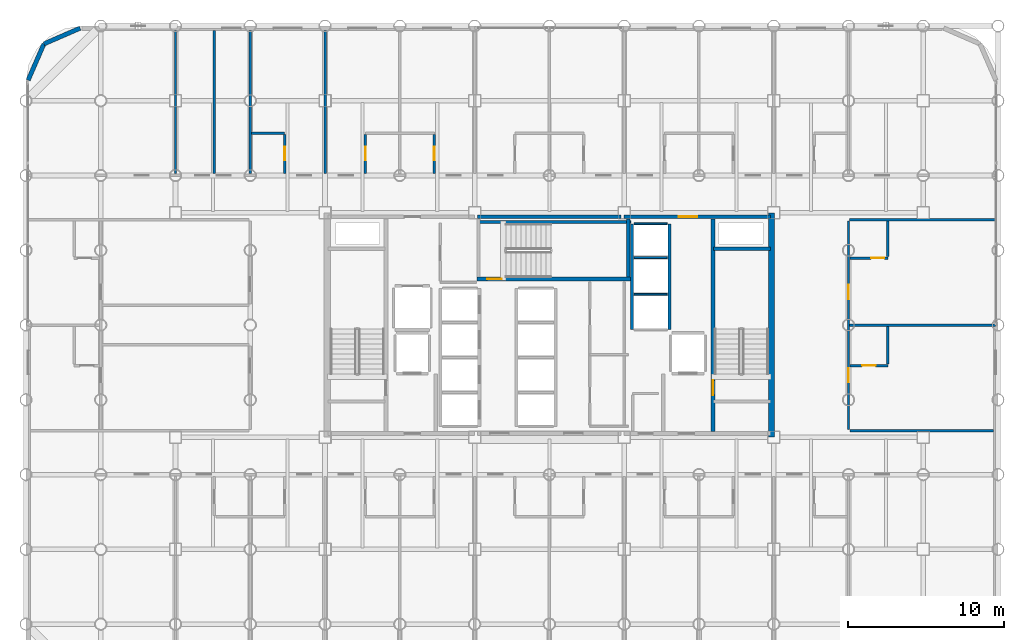
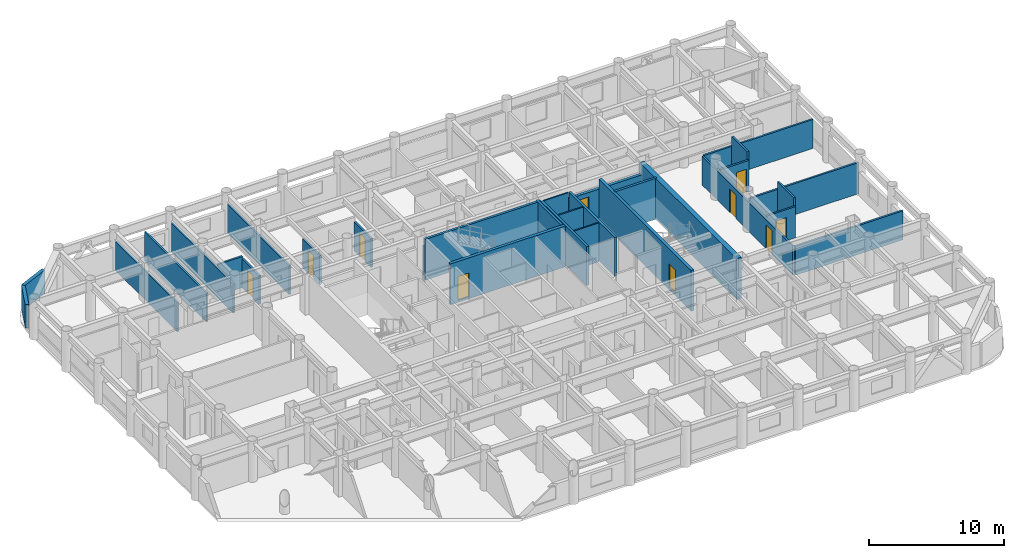
# One storey, part 19 of 22: 31 walls, 10 doors, 10 openings.
"""IFC4 building model written with IfcOpenShell, lengths in metres."""

import ifcopenshell
import ifcopenshell.guid

model = None  # the IFC model being written
_history = None  # IfcOwnerHistory: only IFC2X3 demands one
_inside = {}  # id of a spatial element -> (the spatial element, [elements in it])
_under = {}  # id of a project, library or spatial element -> (it, [spatial elements below it])
_declared = {}  # id of a project -> (the project, [libraries it declares])
_typed = {}  # id of a type object -> (the type object, [elements of that type])
_made_of = {}  # id of a material, layer set ... -> (it, [elements and type objects made of it])


def new_model(schema):
    """Start an empty IFC model of exactly this schema.

    Asked for "IFC4X3", IfcOpenShell would pick the latest addendum, in which some entities
    have other attributes; the version numbers below select the first issue.
    IFC2X3 requires an IfcOwnerHistory on every rooted entity: one is made here for all.
    """
    global model, _history
    if schema == "IFC4X3":
        model = ifcopenshell.file(schema_version=(4, 3, 0, 0))
    else:
        model = ifcopenshell.file(schema=schema)
    _inside.clear()
    _under.clear()
    _declared.clear()
    _typed.clear()
    _made_of.clear()
    _history = None
    if model.schema == "IFC2X3":
        org = make("IfcOrganization", Name="unknown")
        user = make(
            "IfcPersonAndOrganization",
            ThePerson=make("IfcPerson", FamilyName="unknown"),
            TheOrganization=org,
        )
        app = make(
            "IfcApplication",
            ApplicationDeveloper=org,
            Version="unknown",
            ApplicationFullName="unknown",
            ApplicationIdentifier="unknown",
        )
        _history = make(
            "IfcOwnerHistory",
            OwningUser=user,
            OwningApplication=app,
            ChangeAction="ADDED",
            CreationDate=0,
        )
    return model


def make(cls, **values):
    """One entity of the class cls with the attributes given. An attribute that is None is left unset."""
    return model.create_entity(
        cls, **{name: value for name, value in values.items() if value is not None}
    )


def rooted(cls, **values):
    """An entity with a GlobalId (a new one), such as an element, a storey or a relation."""
    return make(cls, GlobalId=ifcopenshell.guid.new(), OwnerHistory=_history, **values)


def si_unit(unit_type, name, prefix=None):
    """IfcSIUnit, for example si_unit("LENGTHUNIT", "METRE", prefix="MILLI")."""
    return make("IfcSIUnit", UnitType=unit_type, Prefix=prefix, Name=name)


def assignment(units):
    """IfcUnitAssignment: the units of a project."""
    return None if units is None else make("IfcUnitAssignment", Units=units)


def point(xyz):
    """IfcCartesianPoint."""
    return None if xyz is None else make("IfcCartesianPoint", Coordinates=xyz)


def direction(xyz):
    """IfcDirection."""
    return None if xyz is None else make("IfcDirection", DirectionRatios=xyz)


def frame(location, z_axis=None, x_axis=None):
    """IfcAxis2Placement3D, a coordinate frame: its origin and axes. An axis left out is left unset."""
    return make(
        "IfcAxis2Placement3D",
        Location=point(location),
        Axis=direction(z_axis),
        RefDirection=direction(x_axis),
    )


def frame_2d(location, x_axis=None):
    """IfcAxis2Placement2D, a coordinate frame in the plane: its origin and x axis."""
    return make(
        "IfcAxis2Placement2D", Location=point(location), RefDirection=direction(x_axis)
    )


def origin():
    """The frame at (0, 0, 0) with its axes left unset."""
    return frame((0.0, 0.0, 0.0))


def place(relative_to, where):
    """IfcLocalPlacement: puts the frame where relative to a parent placement (None: the world)."""
    return make(
        "IfcLocalPlacement", PlacementRelTo=relative_to, RelativePlacement=where
    )


def context(
    kind, dimensions, precision=None, world=None, true_north=None, identifier=None
):
    """IfcGeometricRepresentationContext, for example the 3D "Model" context."""
    return make(
        "IfcGeometricRepresentationContext",
        ContextIdentifier=identifier,
        ContextType=kind,
        CoordinateSpaceDimension=dimensions,
        Precision=precision,
        WorldCoordinateSystem=world,
        TrueNorth=true_north,
    )


def subcontext(parent, identifier, kind, view, scale=None):
    """IfcGeometricRepresentationSubContext, for example "Body" below "Model"."""
    return make(
        "IfcGeometricRepresentationSubContext",
        ContextIdentifier=identifier,
        ContextType=kind,
        ParentContext=parent,
        TargetScale=scale,
        TargetView=view,
    )


def project(units=None, contexts=None):
    """IfcProject with its units and contexts."""
    return rooted(
        "IfcProject",
        Name="project",
        RepresentationContexts=contexts,
        UnitsInContext=assignment(units),
    )


def spatial(cls, under=None, at=None, **own):
    """A site, building, storey or space (cls), placed at a placement, below another one or the project."""
    s = rooted(cls, ObjectPlacement=at, **own)
    if under is not None:
        _under.setdefault(under.id(), (under, []))[1].append(s)
    return s


def profile(cls, at=None, kind="AREA", **sizes):
    """A parametric profile (cls). Its sizes go by their IFC names, for example OverallWidth=200.0."""
    return make(cls, ProfileType=kind, Position=at, **sizes)


def rectangle(**sizes):
    """IfcRectangleProfileDef."""
    return profile("IfcRectangleProfileDef", **sizes)


def extrude(swept, where, along, depth):
    """IfcExtrudedAreaSolid: the profile swept, set in the frame where, extruded along a direction by depth."""
    return make(
        "IfcExtrudedAreaSolid",
        SweptArea=swept,
        Position=where,
        ExtrudedDirection=direction(along),
        Depth=depth,
    )


def shape(context_of_items, identifier, shape_type, items):
    """IfcShapeRepresentation: the items that make up one representation, for example the "Body"."""
    return make(
        "IfcShapeRepresentation",
        ContextOfItems=context_of_items,
        RepresentationIdentifier=identifier,
        RepresentationType=shape_type,
        Items=items,
    )


def material(Name=None, Category=None):
    """IfcMaterial."""
    return make("IfcMaterial", Name=Name, Category=Category)


def layer(
    of_material, thickness, ventilated=None, Name=None, Category=None, Priority=None
):
    """IfcMaterialLayer: one layer of a wall or slab, of a material (None: an air gap)."""
    return make(
        "IfcMaterialLayer",
        Material=of_material,
        LayerThickness=thickness,
        IsVentilated=ventilated,
        Name=Name,
        Category=Category,
        Priority=Priority,
    )


def layer_set(layers, Name=None):
    """IfcMaterialLayerSet."""
    return make("IfcMaterialLayerSet", MaterialLayers=layers, LayerSetName=Name)


def made_of(thing, what):
    """Note that an element or type object is made of a material, layer set ...; save() writes the relation."""
    if what is not None:
        _made_of.setdefault(what.id(), (what, []))[1].append(thing)
    return thing


def type_object(cls, material=None, **own):
    """A type object (cls), such as IfcWallType, which elements share."""
    return made_of(rooted(cls, **own), material)


def element(
    cls,
    number,
    at=None,
    inside=None,
    cuts=None,
    type_object=None,
    material=None,
    context=None,
    identifier="Body",
    shape_type=None,
    held_by="IfcProductDefinitionShape",
    body=None,
    shapes=None,
    **own,
):
    """One element of the class cls, such as IfcWall. Its Tag is "e" and its number.

    at: its placement. inside: the storey or other place that contains it. cuts: it is an
    opening in that element (IfcRelVoidsElement). A single representation is given by context,
    identifier, shape_type and body (its items); several are given by shapes. held_by: the class
    of the entity that holds the representations. save() writes the other relations.
    """
    e = rooted(cls, Tag="e%d" % number, ObjectPlacement=at, **own)
    if body is not None:
        shapes = [shape(context, identifier, shape_type, body)]
    if shapes is not None:
        e.Representation = make(held_by, Representations=shapes)
    if inside is not None:
        _inside.setdefault(inside.id(), (inside, []))[1].append(e)
    if cuts is not None:
        rooted(
            "IfcRelVoidsElement", RelatingBuildingElement=cuts, RelatedOpeningElement=e
        )
    if type_object is not None:
        _typed.setdefault(type_object.id(), (type_object, []))[1].append(e)
    return made_of(e, material)


def fill(opening, filler):
    """IfcRelFillsElement: the door or window that sits in an opening."""
    return rooted(
        "IfcRelFillsElement",
        RelatingOpeningElement=opening,
        RelatedBuildingElement=filler,
    )


def aggregate(whole, parts):
    """IfcRelAggregates: a whole, such as a stair, and the parts it consists of."""
    return rooted("IfcRelAggregates", RelatingObject=whole, RelatedObjects=parts)


def save(model, path):
    """Write the relations noted so far, then the file.

    IfcRelAggregates (storeys below a building ...), IfcRelContainedInSpatialStructure (elements
    in a storey), IfcRelDefinesByType, IfcRelAssociatesMaterial and IfcRelDeclares: one each for
    every whole, place, type object, material and project.
    """
    for whole, parts in _under.values():
        aggregate(whole, parts)
    for where, things in _inside.values():
        rooted(
            "IfcRelContainedInSpatialStructure",
            RelatedElements=things,
            RelatingStructure=where,
        )
    for kind, things in _typed.values():
        rooted("IfcRelDefinesByType", RelatedObjects=things, RelatingType=kind)
    for what, things in _made_of.values():
        rooted("IfcRelAssociatesMaterial", RelatedObjects=things, RelatingMaterial=what)
    for by, libraries in _declared.values():
        rooted("IfcRelDeclares", RelatingContext=by, RelatedDefinitions=libraries)
    model.write(path)


model = new_model("IFC4")

# Units and contexts
model_context = context("Model", 3, precision=1e-05, world=origin(), true_north=direction((0.0, 1.0)))
body_context = subcontext(model_context, "Body", "Model", "MODEL_VIEW")
ifc_project = project(units=[si_unit("LENGTHUNIT", "METRE"), si_unit("AREAUNIT", "SQUARE_METRE"), si_unit("VOLUMEUNIT", "CUBIC_METRE"), si_unit("PLANEANGLEUNIT", "RADIAN"), si_unit("MASSUNIT", "GRAM", prefix="KILO")], contexts=[model_context])

# Site, building, storey
site_placement = place(None, origin())
site = spatial("IfcSite", under=ifc_project, at=site_placement, CompositionType="ELEMENT")
building_placement = place(site_placement, origin())
building = spatial("IfcBuilding", under=site, at=building_placement, Name="Kallvorn Hotel Tower", CompositionType="ELEMENT")
storey_placement = place(building_placement, frame((0.0, 0.0, 33.699951171875)))
storey = spatial("IfcBuildingStorey", under=building, at=storey_placement, Name="L06", CompositionType="ELEMENT", Elevation=33.699951171875)

# Walls
ifc_material_1 = material(Name="Concrete C50/60", Category="concrete")
ifc_layer_1 = layer(ifc_material_1, 0.39990234375)
ifc_layer_set_1 = layer_set([ifc_layer_1], Name="WL_CORE_400")
wall_type_1 = type_object("IfcWallType", Name="WL_CORE_400", PredefinedType="SHEAR", material=ifc_layer_set_1)
wall_1_placement = place(storey_placement, frame((14.264892578125, -7.199951171875, -0.179931640625), z_axis=(0.0, 0.0, 1.0), x_axis=(0.0, 1.0, 0.0)))
element("IfcWall", 1, at=wall_1_placement, inside=storey, type_object=wall_type_1, Name="L06 Core East Shear Wall", PredefinedType="SHEAR", context=body_context, shape_type="SweptSolid", body=[
    extrude(rectangle(XDim=14.39990234375, YDim=0.39990234375, at=frame_2d((7.199951171875, 0.0))), origin(), (0.0, 0.0, 1.0), 3.699951171875),
])
ifc_material_2 = material(Name="Fire-rated double-layer acoustic gypsum drywall EI 60")
ifc_layer_2 = layer(ifc_material_2, 0.159912109375)
ifc_layer_set_2 = layer_set([ifc_layer_2], Name="WL_DEMISE_160")
wall_type_2 = type_object("IfcWallType", Name="WL_DEMISE_160", PredefinedType="PARTITIONING", material=ifc_layer_set_2)
wall_2_placement = place(storey_placement, frame((19.280029296875, -6.800048828125, 0.0), z_axis=(0.0, 0.0, 1.0), x_axis=(1.0, 0.0, 0.0)))
element("IfcWall", 2, at=wall_2_placement, inside=storey, type_object=wall_type_2, Name="L06 Suite 603 E Loggia King Room Partition", PredefinedType="PARTITIONING", context=body_context, shape_type="SweptSolid", body=[
    extrude(rectangle(XDim=9.22998046875, YDim=0.159912109375, at=frame_2d((4.614990234375, 0.0))), origin(), (0.0, 0.0, 1.0), 2.6201171875),
])

# Wall, opening, door
wall_3_placement = place(storey_placement, frame((19.280029296875, -2.60009765625, 0.0), z_axis=(0.0, 0.0, 1.0), x_axis=(1.0, 0.0, 0.0)))
wall_3 = element("IfcWall", 3, at=wall_3_placement, inside=storey, type_object=wall_type_2, Name="L06 Suite 603 E Loggia King Room Partition", PredefinedType="PARTITIONING", context=body_context, shape_type="SweptSolid", body=[
    extrude(rectangle(XDim=2.449951171875, YDim=0.159912109375, at=frame_2d((1.22509765625, 0.0))), origin(), (0.0, 0.0, 1.0), 2.820068359375),
])
opening_1_placement = place(wall_3_placement, frame((0.794921875, 0.0, 0.0)))
opening_1 = element("IfcOpeningElement", 4, at=opening_1_placement, cuts=wall_3, Name="Opening BD-I", PredefinedType="OPENING", context=body_context, shape_type="SweptSolid", body=[
    extrude(rectangle(XDim=0.860107421875, YDim=2.10009765625, at=frame_2d((0.43017578125, 1.050048828125))), frame((0.0, 0.094970703125, 0.0), z_axis=(0.0, -1.0, 0.0), x_axis=(1.0, 0.0, 0.0)), (0.0, 0.0, 1.0), 0.18994140625),
])
ifc_material_3 = material(Name="Solid-core walnut veneer fire-rated timber door leaf", Category="wood")
door_type_1 = type_object("IfcDoorType", Name="DR_BATH_860x2100", OperationType="NOTDEFINED", PredefinedType="DOOR", material=ifc_material_3)
door_1_placement = place(opening_1_placement, origin())
door_1 = element("IfcDoor", 5, at=door_1_placement, inside=storey, type_object=door_type_1, Name="L06 Suite 603 En-Suite Bathroom Door", OperationType="SINGLE_SWING_RIGHT", OverallHeight=2.10009765625, OverallWidth=0.860107421875, PredefinedType="DOOR", context=body_context, shape_type="SweptSolid", body=[
    extrude(rectangle(XDim=0.860107421875, YDim=2.10009765625, at=frame_2d((0.43017578125, 1.050048828125))), frame((0.0, 0.02490234375, 0.0), z_axis=(0.0, -1.0, 0.0), x_axis=(1.0, 0.0, 0.0)), (0.0, 0.0, 1.0), 0.050048828125),
])
fill(opening_1, door_1)

# Wall
wall_4_placement = place(storey_placement, frame((19.280029296875, 0.0, 0.0), z_axis=(0.0, 0.0, 1.0), x_axis=(1.0, 0.0, 0.0)))
element("IfcWall", 6, at=wall_4_placement, inside=storey, type_object=wall_type_2, Name="L06 Suite 604 E Andean Twin Room Partition", PredefinedType="PARTITIONING", context=body_context, shape_type="SweptSolid", body=[
    extrude(rectangle(XDim=9.349853515625, YDim=0.159912109375, at=frame_2d((4.6748046875, 0.0))), origin(), (0.0, 0.0, 1.0), 2.820068359375),
])

# Wall, opening, door
wall_5_placement = place(storey_placement, frame((19.280029296875, 4.300048828125, 0.0), z_axis=(0.0, 0.0, 1.0), x_axis=(1.0, 0.0, 0.0)))
wall_5 = element("IfcWall", 7, at=wall_5_placement, inside=storey, type_object=wall_type_2, Name="L06 Suite 604 E Andean Twin Room Partition", PredefinedType="PARTITIONING", context=body_context, shape_type="SweptSolid", body=[
    extrude(rectangle(XDim=2.449951171875, YDim=0.159912109375, at=frame_2d((1.22509765625, 0.0))), origin(), (0.0, 0.0, 1.0), 2.820068359375),
])
opening_2_placement = place(wall_5_placement, frame((1.3701171875, 0.0, 0.0)))
opening_2 = element("IfcOpeningElement", 8, at=opening_2_placement, cuts=wall_5, Name="Opening BD-I", PredefinedType="OPENING", context=body_context, shape_type="SweptSolid", body=[
    extrude(rectangle(XDim=0.860107421875, YDim=2.10009765625, at=frame_2d((0.43017578125, 1.050048828125))), frame((0.0, 0.094970703125, 0.0), z_axis=(0.0, -1.0, 0.0), x_axis=(1.0, 0.0, 0.0)), (0.0, 0.0, 1.0), 0.18994140625),
])
door_2_placement = place(opening_2_placement, origin())
door_2 = element("IfcDoor", 9, at=door_2_placement, inside=storey, type_object=door_type_1, Name="L06 Suite 604 En-Suite Bathroom Door", OperationType="SINGLE_SWING_RIGHT", OverallHeight=2.10009765625, OverallWidth=0.860107421875, PredefinedType="DOOR", context=body_context, shape_type="SweptSolid", body=[
    extrude(rectangle(XDim=0.860107421875, YDim=2.10009765625, at=frame_2d((0.43017578125, 1.050048828125))), frame((0.0, 0.02490234375, 0.0), z_axis=(0.0, -1.0, 0.0), x_axis=(1.0, 0.0, 0.0)), (0.0, 0.0, 1.0), 0.050048828125),
])
fill(opening_2, door_2)

# Walls
wall_6_placement = place(storey_placement, frame((19.280029296875, 6.75830078125, 0.0), z_axis=(0.0, 0.0, 1.0), x_axis=(1.0, 0.0, 0.0)))
element("IfcWall", 10, at=wall_6_placement, inside=storey, type_object=wall_type_2, Name="L06 Suite 604 E Andean Twin Room Partition", PredefinedType="PARTITIONING", context=body_context, shape_type="SweptSolid", body=[
    extrude(rectangle(XDim=9.349853515625, YDim=0.159912109375, at=frame_2d((4.6748046875, 0.0))), origin(), (0.0, 0.0, 1.0), 2.6201171875),
])
wall_7_placement = place(storey_placement, frame((-19.1201171875, 12.320068359375, 0.0), z_axis=(0.0, 0.0, 1.0), x_axis=(1.0, 0.0, 0.0)))
element("IfcWall", 11, at=wall_7_placement, inside=storey, type_object=wall_type_2, Name="L06 Suite 614 Standard Twin Room Partition", PredefinedType="PARTITIONING", context=body_context, shape_type="SweptSolid", body=[
    extrude(rectangle(XDim=2.130126953125, YDim=0.159912109375, at=frame_2d((1.06494140625, 0.0))), origin(), (0.0, 0.0, 1.0), 2.820068359375),
])
wall_8_placement = place(storey_placement, frame((-19.199951171875, 9.719970703125, 0.0), z_axis=(0.0, 0.0, 1.0), x_axis=(0.0, 1.0, 0.0)))
element("IfcWall", 12, at=wall_8_placement, inside=storey, type_object=wall_type_2, Name="L06 Suite 614 Standard Twin Room Partition", PredefinedType="PARTITIONING", context=body_context, shape_type="SweptSolid", body=[
    extrude(rectangle(XDim=9.18994140625, YDim=0.159912109375, at=frame_2d((4.594970703125, 0.0))), origin(), (0.0, 0.0, 1.0), 2.6201171875),
])

# Wall, opening, door
wall_9_placement = place(storey_placement, frame((-16.989990234375, 9.719970703125, 0.0), z_axis=(0.0, 0.0, 1.0), x_axis=(0.0, 1.0, 0.0)))
wall_9 = element("IfcWall", 13, at=wall_9_placement, inside=storey, type_object=wall_type_2, Name="L06 Suite 614 Standard Twin Room Partition", PredefinedType="PARTITIONING", context=body_context, shape_type="SweptSolid", body=[
    extrude(rectangle(XDim=2.51513671875, YDim=0.159912109375, at=frame_2d((1.257568359375, 0.0))), origin(), (0.0, 0.0, 1.0), 2.6201171875),
])
opening_3_placement = place(wall_9_placement, frame((0.8701171875, 0.0, 0.0)))
opening_3 = element("IfcOpeningElement", 14, at=opening_3_placement, cuts=wall_9, Name="Opening BD-I", PredefinedType="OPENING", context=body_context, shape_type="SweptSolid", body=[
    extrude(rectangle(XDim=0.860107421875, YDim=2.10009765625, at=frame_2d((0.43017578125, 1.050048828125))), frame((0.0, 0.094970703125, 0.0), z_axis=(0.0, -1.0, 0.0), x_axis=(1.0, 0.0, 0.0)), (0.0, 0.0, 1.0), 0.18994140625),
])
door_3_placement = place(opening_3_placement, origin())
door_3 = element("IfcDoor", 15, at=door_3_placement, inside=storey, type_object=door_type_1, Name="L06 Suite 614 En-Suite Bathroom Door", OperationType="SINGLE_SWING_RIGHT", OverallHeight=2.10009765625, OverallWidth=0.860107421875, PredefinedType="DOOR", context=body_context, shape_type="SweptSolid", body=[
    extrude(rectangle(XDim=0.860107421875, YDim=2.10009765625, at=frame_2d((0.43017578125, 1.050048828125))), frame((0.0, 0.02490234375, 0.0), z_axis=(0.0, -1.0, 0.0), x_axis=(1.0, 0.0, 0.0)), (0.0, 0.0, 1.0), 0.050048828125),
])
fill(opening_3, door_3)

# Wall
wall_10_placement = place(storey_placement, frame((-14.39990234375, 9.719970703125, 0.0), z_axis=(0.0, 0.0, 1.0), x_axis=(0.0, 1.0, 0.0)))
element("IfcWall", 16, at=wall_10_placement, inside=storey, type_object=wall_type_2, Name="L06 Suite 614 Standard Twin Room Partition", PredefinedType="PARTITIONING", context=body_context, shape_type="SweptSolid", body=[
    extrude(rectangle(XDim=9.18994140625, YDim=0.159912109375, at=frame_2d((4.594970703125, 0.0))), origin(), (0.0, 0.0, 1.0), 2.6201171875),
])

# Wall, opening, door
wall_11_placement = place(storey_placement, frame((-11.81005859375, 9.719970703125, 0.0), z_axis=(0.0, 0.0, 1.0), x_axis=(0.0, 1.0, 0.0)))
wall_11 = element("IfcWall", 17, at=wall_11_placement, inside=storey, type_object=wall_type_2, Name="L06 Suite 615 Standard Twin Room Partition", PredefinedType="PARTITIONING", context=body_context, shape_type="SweptSolid", body=[
    extrude(rectangle(XDim=2.51513671875, YDim=0.159912109375, at=frame_2d((1.257568359375, 0.0))), origin(), (0.0, 0.0, 1.0), 2.6201171875),
])
opening_4_placement = place(wall_11_placement, frame((0.8701171875, 0.0, 0.0)))
opening_4 = element("IfcOpeningElement", 18, at=opening_4_placement, cuts=wall_11, Name="Opening BD-I", PredefinedType="OPENING", context=body_context, shape_type="SweptSolid", body=[
    extrude(rectangle(XDim=0.860107421875, YDim=2.10009765625, at=frame_2d((0.43017578125, 1.050048828125))), frame((0.0, 0.094970703125, 0.0), z_axis=(0.0, -1.0, 0.0), x_axis=(1.0, 0.0, 0.0)), (0.0, 0.0, 1.0), 0.18994140625),
])
door_4_placement = place(opening_4_placement, origin())
door_4 = element("IfcDoor", 19, at=door_4_placement, inside=storey, type_object=door_type_1, Name="L06 Suite 615 En-Suite Bathroom Door", OperationType="SINGLE_SWING_LEFT", OverallHeight=2.10009765625, OverallWidth=0.860107421875, PredefinedType="DOOR", context=body_context, shape_type="SweptSolid", body=[
    extrude(rectangle(XDim=0.860107421875, YDim=2.10009765625, at=frame_2d((0.43017578125, 1.050048828125))), frame((0.0, 0.02490234375, 0.0), z_axis=(0.0, -1.0, 0.0), x_axis=(1.0, 0.0, 0.0)), (0.0, 0.0, 1.0), 0.050048828125),
])
fill(opening_4, door_4)

wall_12_placement = place(storey_placement, frame((-7.389892578125, 9.719970703125, 0.0), z_axis=(0.0, 0.0, 1.0), x_axis=(0.0, 1.0, 0.0)))
wall_12 = element("IfcWall", 20, at=wall_12_placement, inside=storey, type_object=wall_type_2, Name="L06 Suite 616 Standard Twin Room Partition", PredefinedType="PARTITIONING", context=body_context, shape_type="SweptSolid", body=[
    extrude(rectangle(XDim=2.51513671875, YDim=0.159912109375, at=frame_2d((1.257568359375, 0.0))), origin(), (0.0, 0.0, 1.0), 2.6201171875),
])
opening_5_placement = place(wall_12_placement, frame((0.8701171875, 0.0, 0.0)))
opening_5 = element("IfcOpeningElement", 21, at=opening_5_placement, cuts=wall_12, Name="Opening BD-I", PredefinedType="OPENING", context=body_context, shape_type="SweptSolid", body=[
    extrude(rectangle(XDim=0.860107421875, YDim=2.10009765625, at=frame_2d((0.43017578125, 1.050048828125))), frame((0.0, 0.094970703125, 0.0), z_axis=(0.0, -1.0, 0.0), x_axis=(1.0, 0.0, 0.0)), (0.0, 0.0, 1.0), 0.18994140625),
])
door_5_placement = place(opening_5_placement, origin())
door_5 = element("IfcDoor", 22, at=door_5_placement, inside=storey, type_object=door_type_1, Name="L06 Suite 616 En-Suite Bathroom Door", OperationType="SINGLE_SWING_RIGHT", OverallHeight=2.10009765625, OverallWidth=0.860107421875, PredefinedType="DOOR", context=body_context, shape_type="SweptSolid", body=[
    extrude(rectangle(XDim=0.860107421875, YDim=2.10009765625, at=frame_2d((0.43017578125, 1.050048828125))), frame((0.0, 0.02490234375, 0.0), z_axis=(0.0, -1.0, 0.0), x_axis=(1.0, 0.0, 0.0)), (0.0, 0.0, 1.0), 0.050048828125),
])
fill(opening_5, door_5)

# Wall, openings, doors
wall_13_placement = place(storey_placement, frame((19.199951171875, -6.715087890625, 0.0), z_axis=(0.0, 0.0, 1.0), x_axis=(0.0, 1.0, 0.0)))
wall_13 = element("IfcWall", 23, at=wall_13_placement, inside=storey, type_object=wall_type_2, Name="L06 Suite 603 E Loggia King Room Partition", PredefinedType="PARTITIONING", context=body_context, shape_type="SweptSolid", body=[
    extrude(rectangle(XDim=13.388427734375, YDim=0.159912109375, at=frame_2d((6.6943359375, 0.0))), origin(), (0.0, 0.0, 1.0), 2.6201171875),
])
opening_6_placement = place(wall_13_placement, frame((3.034912109375, 0.0, 0.0)))
opening_6 = element("IfcOpeningElement", 24, at=opening_6_placement, cuts=wall_13, Name="Opening GD1", PredefinedType="OPENING", context=body_context, shape_type="SweptSolid", body=[
    extrude(rectangle(XDim=0.919921875, YDim=2.14990234375, at=frame_2d((0.4599609375, 1.074951171875))), frame((0.0, 0.094970703125, 0.0), z_axis=(0.0, -1.0, 0.0), x_axis=(1.0, 0.0, 0.0)), (0.0, 0.0, 1.0), 0.18994140625),
])
opening_7_placement = place(wall_13_placement, frame((8.385009765625, 0.0, 0.0)))
opening_7 = element("IfcOpeningElement", 25, at=opening_7_placement, cuts=wall_13, Name="Opening GD1", PredefinedType="OPENING", context=body_context, shape_type="SweptSolid", body=[
    extrude(rectangle(XDim=0.919921875, YDim=2.14990234375, at=frame_2d((0.4599609375, 1.074951171875))), frame((0.0, 0.094970703125, 0.0), z_axis=(0.0, -1.0, 0.0), x_axis=(1.0, 0.0, 0.0)), (0.0, 0.0, 1.0), 0.18994140625),
])
ifc_material_4 = material(Name="Solid-core walnut veneer fire-rated timber door leaf", Category="wood")
door_type_2 = type_object("IfcDoorType", Name="DR_GUEST_920x2150", OperationType="NOTDEFINED", PredefinedType="DOOR", material=ifc_material_4)
door_6_placement = place(opening_6_placement, origin())
door_6 = element("IfcDoor", 26, at=door_6_placement, inside=storey, type_object=door_type_2, Name="L06 Suite 603 E Loggia King Room Door", OperationType="SINGLE_SWING_RIGHT", OverallHeight=2.14990234375, OverallWidth=0.919921875, PredefinedType="DOOR", context=body_context, shape_type="SweptSolid", body=[
    extrude(rectangle(XDim=0.919921875, YDim=2.14990234375, at=frame_2d((0.4599609375, 1.074951171875))), frame((0.0, 0.02490234375, 0.0), z_axis=(0.0, -1.0, 0.0), x_axis=(1.0, 0.0, 0.0)), (0.0, 0.0, 1.0), 0.050048828125),
])
fill(opening_6, door_6)
door_7_placement = place(opening_7_placement, origin())
door_7 = element("IfcDoor", 27, at=door_7_placement, inside=storey, type_object=door_type_2, Name="L06 Suite 604 E Andean Twin Room Door", OperationType="SINGLE_SWING_RIGHT", OverallHeight=2.14990234375, OverallWidth=0.919921875, PredefinedType="DOOR", context=body_context, shape_type="SweptSolid", body=[
    extrude(rectangle(XDim=0.919921875, YDim=2.14990234375, at=frame_2d((0.4599609375, 1.074951171875))), frame((0.0, 0.02490234375, 0.0), z_axis=(0.0, -1.0, 0.0), x_axis=(1.0, 0.0, 0.0)), (0.0, 0.0, 1.0), 0.050048828125),
])
fill(opening_7, door_7)

# Walls
wall_14_placement = place(storey_placement, frame((21.72998046875, -2.514892578125, 0.0), z_axis=(0.0, 0.0, 1.0), x_axis=(0.0, 1.0, 0.0)))
element("IfcWall", 28, at=wall_14_placement, inside=storey, type_object=wall_type_2, Name="L06 Suite 603 E Loggia King Room Partition", PredefinedType="PARTITIONING", context=body_context, shape_type="SweptSolid", body=[
    extrude(rectangle(XDim=2.414794921875, YDim=0.159912109375, at=frame_2d((1.20751953125, 0.0))), origin(), (0.0, 0.0, 1.0), 3.52001953125),
])
wall_15_placement = place(storey_placement, frame((21.72998046875, 4.385009765625, 0.0), z_axis=(0.0, 0.0, 1.0), x_axis=(0.0, 1.0, 0.0)))
element("IfcWall", 29, at=wall_15_placement, inside=storey, type_object=wall_type_2, Name="L06 Suite 604 E Andean Twin Room Partition", PredefinedType="PARTITIONING", context=body_context, shape_type="SweptSolid", body=[
    extrude(rectangle(XDim=2.288330078125, YDim=0.159912109375, at=frame_2d((1.14404296875, 0.0))), origin(), (0.0, 0.0, 1.0), 3.52001953125),
])
ifc_material_5 = material(Name="Precast basalt-clad insulated concrete wall C40/50", Category="masonry")
ifc_layer_3 = layer(ifc_material_5, 0.280029296875)
ifc_layer_set_3 = layer_set([ifc_layer_3], Name="WL_EXT_LOGGIA_280")
wall_type_3 = type_object("IfcWallType", Name="WL_EXT_LOGGIA_280", PredefinedType="SOLIDWALL", material=ifc_layer_set_3)
wall_16_placement = place(storey_placement, frame((-30.120849609375, 19.057861328125, 0.0), z_axis=(0.0, 0.0, 1.0), x_axis=(-0.917060872934, -0.398747232384, 0.0)))
element("IfcWall", 30, at=wall_16_placement, inside=storey, type_object=wall_type_3, Name="L06 Rounded Corner Exterior Wall NW1", PredefinedType="SOLIDWALL", context=body_context, shape_type="SweptSolid", body=[
    extrude(rectangle(XDim=2.5361328125, YDim=0.280029296875, at=frame_2d((1.26806640625, 0.0))), origin(), (0.0, 0.0, 1.0), 2.1201171875),
])
wall_17_placement = place(storey_placement, frame((-32.446533203125, 18.046630859375, 0.0), z_axis=(0.0, 0.0, 1.0), x_axis=(-0.398792985289, -0.917040977756, 0.0)))
element("IfcWall", 31, at=wall_17_placement, inside=storey, type_object=wall_type_3, Name="L06 Rounded Corner Exterior Wall NW2", PredefinedType="SOLIDWALL", context=body_context, shape_type="SweptSolid", body=[
    extrude(rectangle(XDim=2.536376953125, YDim=0.280029296875, at=frame_2d((1.26806640625, 0.0))), origin(), (0.0, 0.0, 1.0), 2.1201171875),
])
ifc_material_6 = material(Name="Concrete C40/50", Category="concrete")
ifc_layer_4 = layer(ifc_material_6, 0.199951171875)
ifc_layer_set_4 = layer_set([ifc_layer_4], Name="WL_HOIST_200")
wall_type_4 = type_object("IfcWallType", Name="WL_HOIST_200", PredefinedType="SOLIDWALL", material=ifc_layer_set_4)
wall_18_placement = place(storey_placement, frame((10.550048828125, 4.89990234375, -0.179931640625), z_axis=(0.0, 0.0, 1.0), x_axis=(1.0, 0.0, 0.0)))
element("IfcWall", 32, at=wall_18_placement, inside=storey, type_object=wall_type_4, Name="L06 Stair ST2 North Wall", PredefinedType="SOLIDWALL", context=body_context, shape_type="SweptSolid", body=[
    extrude(rectangle(XDim=3.64990234375, YDim=0.199951171875, at=frame_2d((1.824951171875, 0.0))), origin(), (0.0, 0.0, 1.0), 3.699951171875),
])
wall_19_placement = place(storey_placement, frame((-4.64990234375, 6.610107421875, -0.179931640625), z_axis=(0.0, 0.0, 1.0), x_axis=(1.0, 0.0, 0.0)))
element("IfcWall", 33, at=wall_19_placement, inside=storey, type_object=wall_type_4, Name="L06 Stair ST3 Shaft North Wall", PredefinedType="SOLIDWALL", context=body_context, shape_type="SweptSolid", body=[
    extrude(rectangle(XDim=9.89990234375, YDim=0.199951171875, at=frame_2d((4.949951171875, 0.0))), origin(), (0.0, 0.0, 1.0), 3.699951171875),
])
wall_20_placement = place(storey_placement, frame((5.06005859375, 3.080078125, -0.179931640625), z_axis=(0.0, 0.0, 1.0), x_axis=(0.0, 1.0, 0.0)))
element("IfcWall", 34, at=wall_20_placement, inside=storey, type_object=wall_type_4, Name="L06 Stair ST3 East Wall", PredefinedType="SOLIDWALL", context=body_context, shape_type="SweptSolid", body=[
    extrude(rectangle(XDim=3.739990234375, YDim=0.199951171875, at=frame_2d((1.8701171875, 0.0))), origin(), (0.0, 0.0, 1.0), 3.699951171875),
])
for number, where, z_axis, x_axis, name in (
    (35, (7.699951171875, -0.300048828125, 0.0), (0.0, 0.0, 1.0), (0.0, 1.0, 0.0), "L06 Lift Bank OBS Landing Wall"),
    (36, (5.300048828125, -0.300048828125, 0.0), (0.0, 0.0, 1.0), (0.0, 1.0, 0.0), "L06 Lift Bank OBS Rear Shaft Wall"),
):
    element("IfcWall", number, at=place(storey_placement, frame(where, z_axis=z_axis, x_axis=x_axis)), inside=storey, type_object=wall_type_4, Name=name, PredefinedType="SOLIDWALL", context=body_context, shape_type="SweptSolid", body=[
        extrude(rectangle(XDim=6.800048828125, YDim=0.199951171875, at=frame_2d((3.39990234375, 0.0))), origin(), (0.0, 0.0, 1.0), 3.52001953125),
    ])
ifc_material_7 = material(Name="Fire-rated double-layer acoustic gypsum drywall EI 60")
ifc_layer_5 = layer(ifc_material_7, 0.1201171875)
ifc_layer_set_5 = layer_set([ifc_layer_5], Name="WL_INT_120")
wall_type_5 = type_object("IfcWallType", Name="WL_INT_120", PredefinedType="PARTITIONING", material=ifc_layer_set_5)
for number, where, z_axis, x_axis, name in (
    (37, (5.43994140625, 1.97509765625, 0.0), (0.0, 0.0, 1.0), (1.0, 0.0, 0.0), "L06 OB-01 Hoistway Divider"),
    (38, (5.43994140625, 4.324951171875, 0.0), (0.0, 0.0, 1.0), (1.0, 0.0, 0.0), "L06 OB-02 Hoistway Divider"),
    (39, (5.43994140625, 6.5, 0.0), (0.0, 0.0, 1.0), (1.0, 0.0, 0.0), "L06 OB-03 Hoistway Divider"),
):
    element("IfcWall", number, at=place(storey_placement, frame(where, z_axis=z_axis, x_axis=x_axis)), inside=storey, type_object=wall_type_5, Name=name, PredefinedType="PARTITIONING", context=body_context, shape_type="SweptSolid", body=[
        extrude(rectangle(XDim=2.1201171875, YDim=0.1201171875, at=frame_2d((1.06005859375, 0.0))), origin(), (0.0, 0.0, 1.0), 3.52001953125),
    ])
ifc_material_8 = material(Name="Fire-rated double-layer acoustic gypsum drywall EI 60")
ifc_layer_6 = layer(ifc_material_8, 0.14990234375)
ifc_layer_set_6 = layer_set([ifc_layer_6], Name="WL_PART_150")
wall_type_6 = type_object("IfcWallType", Name="WL_PART_150", PredefinedType="PARTITIONING", material=ifc_layer_set_6)
for number, where, z_axis, x_axis, name in (
    (40, (-24.0, 9.719970703125, 0.0), (0.0, 0.0, 1.0), (0.0, 1.0, 0.0), "L06 Housekeeping and Linen Room Partition"),
    (41, (-21.5048828125, 9.719970703125, 0.0), (0.0, 0.0, 1.0), (0.0, 1.0, 0.0), "L06 Guest Tea and Refreshment Bar Partition"),
):
    element("IfcWall", number, at=place(storey_placement, frame(where, z_axis=z_axis, x_axis=x_axis)), inside=storey, type_object=wall_type_6, Name=name, PredefinedType="PARTITIONING", context=body_context, shape_type="SweptSolid", body=[
        extrude(rectangle(XDim=9.18994140625, YDim=0.14990234375, at=frame_2d((4.594970703125, 0.0))), origin(), (0.0, 0.0, 1.0), 2.6201171875),
    ])
ifc_material_9 = material(Name="Concrete C40/50", Category="concrete")
ifc_layer_7 = layer(ifc_material_9, 0.25)
ifc_layer_set_7 = layer_set([ifc_layer_7], Name="WL_SHAFT_250")
wall_type_7 = type_object("IfcWallType", Name="WL_SHAFT_250", PredefinedType="SOLIDWALL", material=ifc_layer_set_7)
wall_21_placement = place(storey_placement, frame((-4.60009765625, 6.949951171875, 0.0), z_axis=(0.0, 0.0, 1.0), x_axis=(1.0, 0.0, 0.0)))
element("IfcWall", 42, at=wall_21_placement, inside=storey, type_object=wall_type_7, Name="L06 Core North-Central Wall", PredefinedType="SOLIDWALL", context=body_context, shape_type="SweptSolid", body=[
    extrude(rectangle(XDim=9.2001953125, YDim=0.25, at=frame_2d((4.60009765625, 0.0))), origin(), (0.0, 0.0, 1.0), 2.6201171875),
])

# Wall, opening, door
wall_22_placement = place(storey_placement, frame((4.800048828125, 6.949951171875, 0.0), z_axis=(0.0, 0.0, 1.0), x_axis=(1.0, 0.0, 0.0)))
wall_22 = element("IfcWall", 43, at=wall_22_placement, inside=storey, type_object=wall_type_7, Name="L06 Core North-East Wall", PredefinedType="SOLIDWALL", context=body_context, shape_type="SweptSolid", body=[
    extrude(rectangle(XDim=9.39990234375, YDim=0.25, at=frame_2d((4.699951171875, 0.0))), origin(), (0.0, 0.0, 1.0), 2.6201171875),
])
opening_8_placement = place(wall_22_placement, frame((3.5, 0.0, 0.0)))
opening_8 = element("IfcOpeningElement", 44, at=opening_8_placement, cuts=wall_22, Name="Opening FD2", PredefinedType="OPENING", context=body_context, shape_type="SweptSolid", body=[
    extrude(rectangle(XDim=1.199951171875, YDim=2.199951171875, at=frame_2d((0.60009765625, 1.10009765625))), frame((0.0, 0.139892578125, 0.0), z_axis=(0.0, -1.0, 0.0), x_axis=(1.0, 0.0, 0.0)), (0.0, 0.0, 1.0), 0.280029296875),
])
ifc_material_10 = material(Name="Galvanised painted steel fire-rated door assembly", Category="steel")
door_type_3 = type_object("IfcDoorType", Name="DR_LOBBY_1200x2200", OperationType="DOUBLE_DOOR_SINGLE_SWING", PredefinedType="DOOR", material=ifc_material_10)
door_8_placement = place(opening_8_placement, origin())
door_8 = element("IfcDoor", 45, at=door_8_placement, inside=storey, type_object=door_type_3, Name="L06 Observatory Shuttle Lobby Door", OperationType="DOUBLE_DOOR_SINGLE_SWING", OverallHeight=2.199951171875, OverallWidth=1.199951171875, PredefinedType="DOOR", context=body_context, shape_type="SweptSolid", body=[
    extrude(rectangle(XDim=1.199951171875, YDim=2.199951171875, at=frame_2d((0.60009765625, 1.10009765625))), frame((0.0, 0.02490234375, 0.0), z_axis=(0.0, -1.0, 0.0), x_axis=(1.0, 0.0, 0.0)), (0.0, 0.0, 1.0), 0.050048828125),
])
fill(opening_8, door_8)

wall_23_placement = place(storey_placement, frame((10.5, -6.820068359375, -0.179931640625), z_axis=(0.0, 0.0, 1.0), x_axis=(0.0, 1.0, 0.0)))
wall_23 = element("IfcWall", 46, at=wall_23_placement, inside=storey, type_object=wall_type_7, Name="L06 Stair ST2 Shaft Wall", PredefinedType="SOLIDWALL", context=body_context, shape_type="SweptSolid", body=[
    extrude(rectangle(XDim=13.64013671875, YDim=0.25, at=frame_2d((6.820068359375, 0.0))), origin(), (0.0, 0.0, 1.0), 3.699951171875),
])
opening_9_placement = place(wall_23_placement, frame((2.320068359375, 0.0, 0.179931640625)))
opening_9 = element("IfcOpeningElement", 47, at=opening_9_placement, cuts=wall_23, Name="Opening SD1", PredefinedType="OPENING", context=body_context, shape_type="SweptSolid", body=[
    extrude(rectangle(XDim=0.949951171875, YDim=2.14990234375, at=frame_2d((0.47509765625, 1.074951171875))), frame((0.0, 0.139892578125, 0.0), z_axis=(0.0, -1.0, 0.0), x_axis=(1.0, 0.0, 0.0)), (0.0, 0.0, 1.0), 0.280029296875),
])
ifc_material_11 = material(Name="Galvanised painted steel fire-rated door assembly", Category="steel")
door_type_4 = type_object("IfcDoorType", Name="DR_STAIR_950x2150", OperationType="NOTDEFINED", PredefinedType="DOOR", material=ifc_material_11)
door_9_placement = place(opening_9_placement, origin())
door_9 = element("IfcDoor", 48, at=door_9_placement, inside=storey, type_object=door_type_4, Name="L06 Exit Stair ST2 Fire Door", OperationType="SINGLE_SWING_LEFT", OverallHeight=2.14990234375, OverallWidth=0.949951171875, PredefinedType="DOOR", context=body_context, shape_type="SweptSolid", body=[
    extrude(rectangle(XDim=0.949951171875, YDim=2.14990234375, at=frame_2d((0.47509765625, 1.074951171875))), frame((0.0, 0.02490234375, 0.0), z_axis=(0.0, -1.0, 0.0), x_axis=(1.0, 0.0, 0.0)), (0.0, 0.0, 1.0), 0.050048828125),
])
fill(opening_9, door_9)

wall_24_placement = place(storey_placement, frame((-4.64990234375, 2.949951171875, -0.179931640625), z_axis=(0.0, 0.0, 1.0), x_axis=(1.0, 0.0, 0.0)))
wall_24 = element("IfcWall", 49, at=wall_24_placement, inside=storey, type_object=wall_type_7, Name="L06 Stair ST3 Shaft South Wall", PredefinedType="SOLIDWALL", context=body_context, shape_type="SweptSolid", body=[
    extrude(rectangle(XDim=9.89990234375, YDim=0.25, at=frame_2d((4.949951171875, 0.0))), origin(), (0.0, 0.0, 1.0), 3.699951171875),
])
opening_10_placement = place(wall_24_placement, frame((0.64990234375, 0.0, 0.179931640625)))
opening_10 = element("IfcOpeningElement", 50, at=opening_10_placement, cuts=wall_24, Name="Opening SD1", PredefinedType="OPENING", context=body_context, shape_type="SweptSolid", body=[
    extrude(rectangle(XDim=0.949951171875, YDim=2.14990234375, at=frame_2d((0.47509765625, 1.074951171875))), frame((0.0, 0.139892578125, 0.0), z_axis=(0.0, -1.0, 0.0), x_axis=(1.0, 0.0, 0.0)), (0.0, 0.0, 1.0), 0.280029296875),
])
door_10_placement = place(opening_10_placement, origin())
door_10 = element("IfcDoor", 51, at=door_10_placement, inside=storey, type_object=door_type_4, Name="L06 Exit Stair ST3 Fire Door", OperationType="SINGLE_SWING_RIGHT", OverallHeight=2.14990234375, OverallWidth=0.949951171875, PredefinedType="DOOR", context=body_context, shape_type="SweptSolid", body=[
    extrude(rectangle(XDim=0.949951171875, YDim=2.14990234375, at=frame_2d((0.47509765625, 1.074951171875))), frame((0.0, 0.02490234375, 0.0), z_axis=(0.0, -1.0, 0.0), x_axis=(1.0, 0.0, 0.0)), (0.0, 0.0, 1.0), 0.050048828125),
])
fill(opening_10, door_10)

save(model, "model.ifc")
